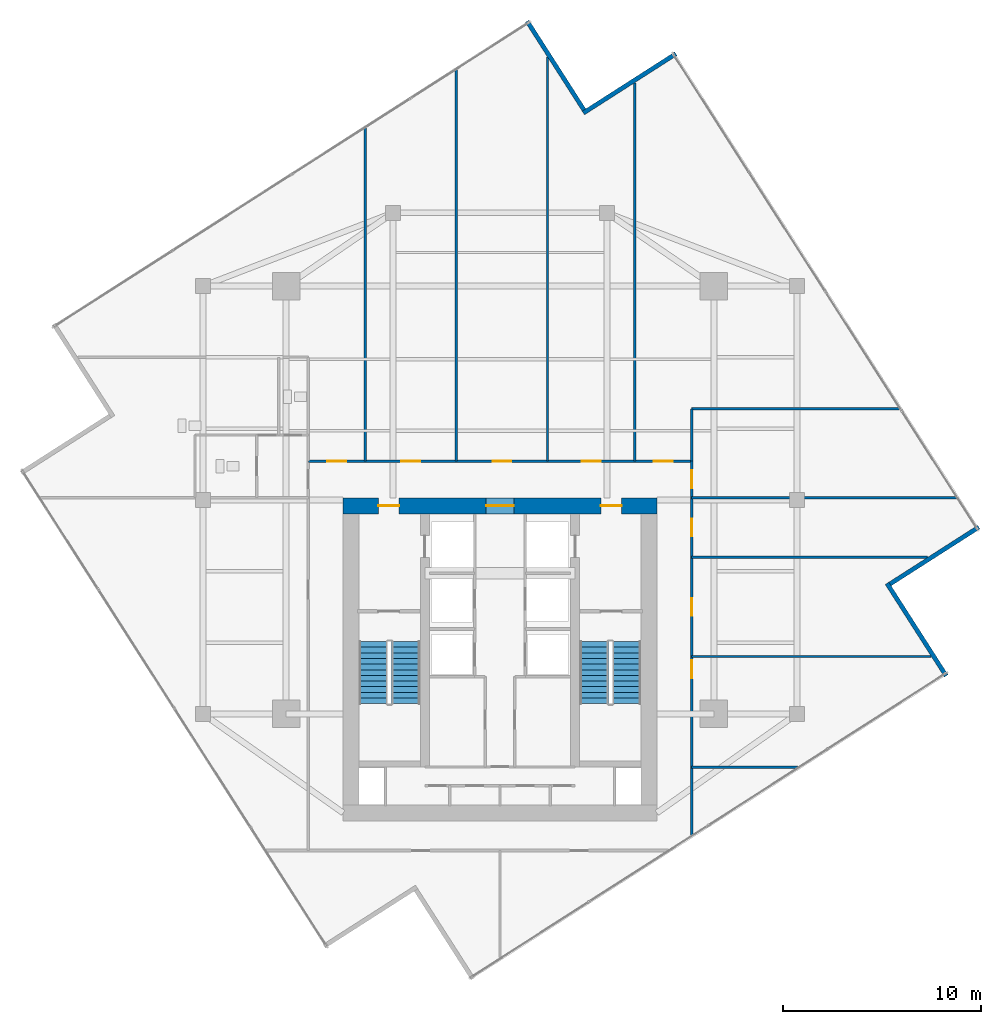
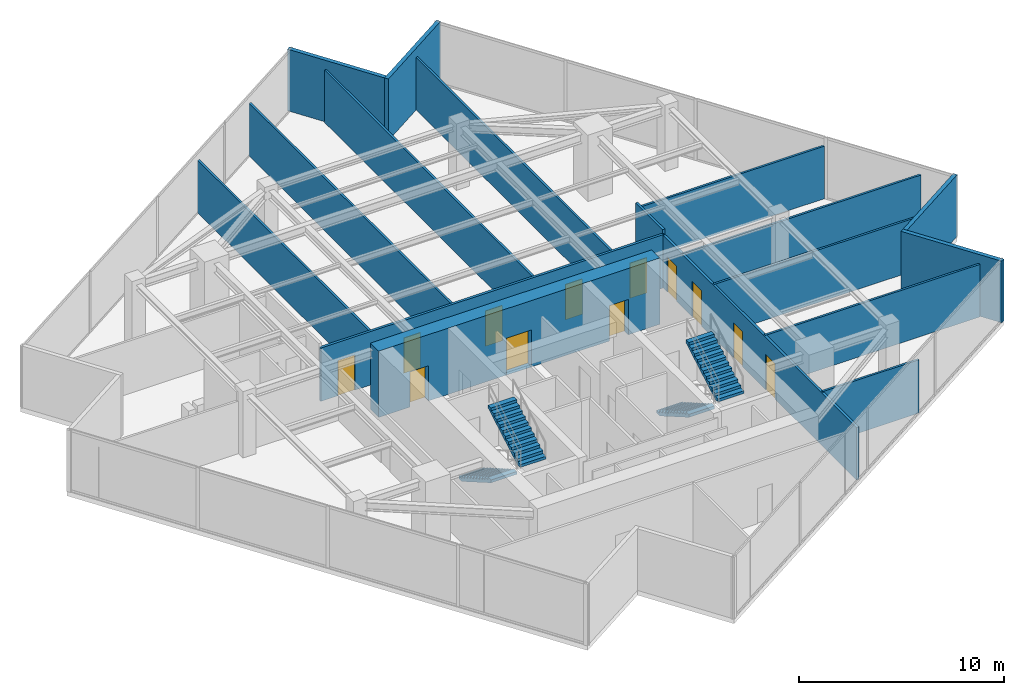
# One storey, part 18 of 20: 17 walls, 12 doors, 4 stair flights, 12 openings, 2 elements without a shape of their own.
"""IFC4 building model written with IfcOpenShell, lengths in metres."""

from ifc_helpers import new_model, si_unit, direction, frame, frame_2d, origin, place, context, subcontext, project, spatial, polyline, rectangle, outline, extrude, material, layer, layer_set, type_object, element, fill, aggregate, save


model = new_model("IFC4")

# Units and contexts
model_context = context("Model", 3, precision=1e-05, world=origin(), true_north=direction((0.0, 1.0)))
body_context = subcontext(model_context, "Body", "Model", "MODEL_VIEW")
ifc_project = project(units=[si_unit("LENGTHUNIT", "METRE"), si_unit("AREAUNIT", "SQUARE_METRE"), si_unit("VOLUMEUNIT", "CUBIC_METRE"), si_unit("PLANEANGLEUNIT", "RADIAN"), si_unit("MASSUNIT", "GRAM", prefix="KILO")], contexts=[model_context])

# Site, building, storey
site_placement = place(None, origin())
site = spatial("IfcSite", under=ifc_project, at=site_placement, CompositionType="ELEMENT")
building_placement = place(site_placement, origin())
building = spatial("IfcBuilding", under=site, at=building_placement, Name="Krantzveldt Concourse Tower", CompositionType="ELEMENT")
storey_placement = place(building_placement, frame((0.0, 0.0, 287.14990234375)))
storey = spatial("IfcBuildingStorey", under=building, at=storey_placement, Name="L70", CompositionType="ELEMENT", Elevation=287.14990234375)

# Walls
ifc_material_1 = material(Name="Anodised aluminium 6063-T6", Category="aluminium")
ifc_layer_1 = layer(ifc_material_1, 0.219970703125, Name="Anodised aluminium 6063-T6", Category="aluminium")
ifc_layer_set_1 = layer_set([ifc_layer_1], Name="Anodised aluminium 6063-T6 (WL-EXT-NOTCH220)")
wall_type_1 = type_object("IfcWallType", Name="WL-EXT-NOTCH220", PredefinedType="ELEMENTEDWALL", material=ifc_layer_set_1)
wall_1_placement = place(storey_placement, frame((40.241455078125, 46.39404296875, 0.0), z_axis=(0.0, 0.0, 1.0), x_axis=(-0.539157771194, 0.842204783744, 0.0)))
element("IfcWall", 1, at=wall_1_placement, inside=storey, type_object=wall_type_1, Name="EW-L70-NCH00", PredefinedType="ELEMENTEDWALL", context=body_context, shape_type="SweptSolid", body=[
    extrude(rectangle(XDim=5.3251953125, YDim=0.219970703125, at=frame_2d((2.66259765625, 0.0))), origin(), (0.0, 0.0, 1.0), 3.670166015625),
])
wall_2_placement = place(storey_placement, frame((58.53173828125, 17.82177734375, 0.0), z_axis=(0.0, 0.0, 1.0), x_axis=(-0.539129907131, 0.842222620948, 0.0)))
element("IfcWall", 2, at=wall_2_placement, inside=storey, type_object=wall_type_1, Name="EW-L70-NCH08", PredefinedType="ELEMENTEDWALL", context=body_context, shape_type="SweptSolid", body=[
    extrude(rectangle(XDim=5.545166015625, YDim=0.219970703125, at=frame_2d((2.7724609375, 0.0))), origin(), (0.0, 0.0, 1.0), 3.670166015625),
])
wall_3_placement = place(storey_placement, frame((55.694091796875, 22.45849609375, 0.0), z_axis=(0.0, 0.0, 1.0), x_axis=(0.842204783744, 0.539157771194, 0.0)))
element("IfcWall", 3, at=wall_3_placement, inside=storey, type_object=wall_type_1, Name="EW-L70-NCH09", PredefinedType="ELEMENTEDWALL", context=body_context, shape_type="SweptSolid", body=[
    extrude(rectangle(XDim=5.3251953125, YDim=0.219970703125, at=frame_2d((2.66259765625, 0.0))), origin(), (0.0, 0.0, 1.0), 3.670166015625),
])
wall_4_placement = place(storey_placement, frame((44.878173828125, 49.231689453125, 0.0), z_axis=(0.0, 0.0, 1.0), x_axis=(-0.842222620948, -0.539129907131, 0.0)))
element("IfcWall", 4, at=wall_4_placement, inside=storey, type_object=wall_type_1, Name="EW-L70-NCH11", PredefinedType="ELEMENTEDWALL", context=body_context, shape_type="SweptSolid", body=[
    extrude(rectangle(XDim=5.545166015625, YDim=0.219970703125, at=frame_2d((2.7724609375, 0.0))), origin(), (0.0, 0.0, 1.0), 3.670166015625),
])
ifc_material_2 = material(Name="Fire-rated gypsum plasterboard on steel stud", Category="steel")
ifc_layer_2 = layer(ifc_material_2, 0.1201171875, Name="Fire-rated gypsum plasterboard on steel stud", Category="steel")
ifc_layer_set_2 = layer_set([ifc_layer_2], Name="Fire-rated gypsum plasterboard on steel stud (WL-PART-120)")
wall_type_2 = type_object("IfcWallType", Name="WL-PART-120", PredefinedType="PARTITIONING", material=ifc_layer_set_2)
wall_5_placement = place(storey_placement, frame((45.679931640625, 26.820068359375, 0.0), z_axis=(0.0, 0.0, 1.0), x_axis=(1.0, 0.0, 0.0)))
element("IfcWall", 5, at=wall_5_placement, inside=storey, type_object=wall_type_2, Name="WP-L70-PNTS", PredefinedType="PARTITIONING", context=body_context, shape_type="SweptSolid", body=[
    extrude(rectangle(XDim=13.408203125, YDim=0.1201171875, at=frame_2d((6.7041015625, 0.0))), origin(), (0.0, 0.0, 1.0), 3.130126953125),
])
wall_6_placement = place(storey_placement, frame((45.679931640625, 31.300048828125, 0.0), z_axis=(0.0, 0.0, 1.0), x_axis=(1.0, 0.0, 0.0)))
element("IfcWall", 6, at=wall_6_placement, inside=storey, type_object=wall_type_2, Name="WP-L70-PNTN", PredefinedType="PARTITIONING", context=body_context, shape_type="SweptSolid", body=[
    extrude(rectangle(XDim=10.54052734375, YDim=0.1201171875, at=frame_2d((5.270263671875, 0.0))), origin(), (0.0, 0.0, 1.0), 3.130126953125),
])
wall_7_placement = place(storey_placement, frame((29.199951171875, 28.659912109375, 0.0), z_axis=(0.0, 0.0, 1.0), x_axis=(0.0, 1.0, 0.0)))
element("IfcWall", 7, at=wall_7_placement, inside=storey, type_object=wall_type_2, Name="WP-L70-ND1", PredefinedType="PARTITIONING", context=body_context, shape_type="SweptSolid", body=[
    extrude(rectangle(XDim=16.852294921875, YDim=0.1201171875, at=frame_2d((8.42626953125, 0.0))), origin(), (0.0, 0.0, 1.0), 3.130126953125),
])
wall_8_placement = place(storey_placement, frame((33.800048828125, 28.659912109375, 0.0), z_axis=(0.0, 0.0, 1.0), x_axis=(0.0, 1.0, 0.0)))
element("IfcWall", 8, at=wall_8_placement, inside=storey, type_object=wall_type_2, Name="WP-L70-ND2", PredefinedType="PARTITIONING", context=body_context, shape_type="SweptSolid", body=[
    extrude(rectangle(XDim=19.796875, YDim=0.1201171875, at=frame_2d((9.8984375, 0.0))), origin(), (0.0, 0.0, 1.0), 3.130126953125),
])
wall_9_placement = place(storey_placement, frame((38.39990234375, 28.659912109375, 0.0), z_axis=(0.0, 0.0, 1.0), x_axis=(0.0, 1.0, 0.0)))
element("IfcWall", 9, at=wall_9_placement, inside=storey, type_object=wall_type_2, Name="WP-L70-ND3", PredefinedType="PARTITIONING", context=body_context, shape_type="SweptSolid", body=[
    extrude(rectangle(XDim=20.3974609375, YDim=0.1201171875, at=frame_2d((10.19873046875, 0.0))), origin(), (0.0, 0.0, 1.0), 3.130126953125),
])
wall_10_placement = place(storey_placement, frame((42.800048828125, 28.659912109375, 0.0), z_axis=(0.0, 0.0, 1.0), x_axis=(0.0, 1.0, 0.0)))
element("IfcWall", 10, at=wall_10_placement, inside=storey, type_object=wall_type_2, Name="WP-L70-ND4", PredefinedType="PARTITIONING", context=body_context, shape_type="SweptSolid", body=[
    extrude(rectangle(XDim=19.10498046875, YDim=0.1201171875, at=frame_2d((9.552490234375, 0.0))), origin(), (0.0, 0.0, 1.0), 3.130126953125),
])
wall_11_placement = place(storey_placement, frame((45.679931640625, 13.199951171875, 0.0), z_axis=(0.0, 0.0, 1.0), x_axis=(1.0, 0.0, 0.0)))
element("IfcWall", 11, at=wall_11_placement, inside=storey, type_object=wall_type_2, Name="WP-L70-ED1", PredefinedType="PARTITIONING", context=body_context, shape_type="SweptSolid", body=[
    extrude(rectangle(XDim=5.41845703125, YDim=0.1201171875, at=frame_2d((2.709228515625, 0.0))), origin(), (0.0, 0.0, 1.0), 3.18017578125),
])
wall_12_placement = place(storey_placement, frame((45.679931640625, 18.800048828125, 0.0), z_axis=(0.0, 0.0, 1.0), x_axis=(1.0, 0.0, 0.0)))
element("IfcWall", 12, at=wall_12_placement, inside=storey, type_object=wall_type_2, Name="WP-L70-ED2", PredefinedType="PARTITIONING", context=body_context, shape_type="SweptSolid", body=[
    extrude(rectangle(XDim=12.089111328125, YDim=0.1201171875, at=frame_2d((6.04443359375, 0.0))), origin(), (0.0, 0.0, 1.0), 3.130126953125),
])
wall_13_placement = place(storey_placement, frame((45.679931640625, 23.800048828125, 0.0), z_axis=(0.0, 0.0, 1.0), x_axis=(1.0, 0.0, 0.0)))
element("IfcWall", 13, at=wall_13_placement, inside=storey, type_object=wall_type_2, Name="WP-L70-ED3", PredefinedType="PARTITIONING", context=body_context, shape_type="SweptSolid", body=[
    extrude(rectangle(XDim=11.896240234375, YDim=0.1201171875, at=frame_2d((5.9482421875, 0.0))), origin(), (0.0, 0.0, 1.0), 3.130126953125),
])

# Wall, openings, doors
ifc_layer_3 = layer(ifc_material_2, 0.139892578125, Name="Fire-rated gypsum plasterboard on steel stud", Category="steel")
ifc_layer_set_3 = layer_set([ifc_layer_3], Name="Fire-rated gypsum plasterboard on steel stud (WL-PART-140)")
wall_type_3 = type_object("IfcWallType", Name="WL-PART-140", PredefinedType="PARTITIONING", material=ifc_layer_set_3)
wall_14_placement = place(storey_placement, frame((26.320068359375, 28.659912109375, 0.0), z_axis=(0.0, 0.0, 1.0), x_axis=(1.0, 0.0, 0.0)))
wall_14 = element("IfcWall", 14, at=wall_14_placement, inside=storey, type_object=wall_type_3, Name="WP-L70-CNHDR", PredefinedType="PARTITIONING", context=body_context, shape_type="SweptSolid", body=[
    extrude(rectangle(XDim=19.35986328125, YDim=0.139892578125, at=frame_2d((9.679931640625, 0.0))), origin(), (0.0, 0.0, 1.0), 3.18017578125),
])
opening_1_placement = place(wall_14_placement, frame((0.965087890625, 0.0, 0.0)))
opening_1 = element("IfcOpeningElement", 15, at=opening_1_placement, cuts=wall_14, Name="Opening D-IN095", PredefinedType="OPENING", context=body_context, shape_type="SweptSolid", body=[
    extrude(rectangle(XDim=0.949951171875, YDim=2.10009765625, at=frame_2d((0.47509765625, 1.050048828125))), frame((0.0, 0.080078125, 0.0), z_axis=(0.0, -1.0, 0.0), x_axis=(1.0, 0.0, 0.0)), (0.0, 0.0, 1.0), 0.159912109375),
])
opening_2_placement = place(wall_14_placement, frame((4.705078125, 0.0, 0.0)))
opening_2 = element("IfcOpeningElement", 16, at=opening_2_placement, cuts=wall_14, Name="Opening D-IN095", PredefinedType="OPENING", context=body_context, shape_type="SweptSolid", body=[
    extrude(rectangle(XDim=0.949951171875, YDim=2.10009765625, at=frame_2d((0.47509765625, 1.050048828125))), frame((0.0, 0.080078125, 0.0), z_axis=(0.0, -1.0, 0.0), x_axis=(1.0, 0.0, 0.0)), (0.0, 0.0, 1.0), 0.159912109375),
])
opening_3_placement = place(wall_14_placement, frame((9.304931640625, 0.0, 0.0)))
opening_3 = element("IfcOpeningElement", 17, at=opening_3_placement, cuts=wall_14, Name="Opening D-IN095", PredefinedType="OPENING", context=body_context, shape_type="SweptSolid", body=[
    extrude(rectangle(XDim=0.949951171875, YDim=2.10009765625, at=frame_2d((0.47509765625, 1.050048828125))), frame((0.0, 0.080078125, 0.0), z_axis=(0.0, -1.0, 0.0), x_axis=(1.0, 0.0, 0.0)), (0.0, 0.0, 1.0), 0.159912109375),
])
opening_4_placement = place(wall_14_placement, frame((13.804931640625, 0.0, 0.0)))
opening_4 = element("IfcOpeningElement", 18, at=opening_4_placement, cuts=wall_14, Name="Opening D-IN095", PredefinedType="OPENING", context=body_context, shape_type="SweptSolid", body=[
    extrude(rectangle(XDim=0.949951171875, YDim=2.10009765625, at=frame_2d((0.47509765625, 1.050048828125))), frame((0.0, 0.080078125, 0.0), z_axis=(0.0, -1.0, 0.0), x_axis=(1.0, 0.0, 0.0)), (0.0, 0.0, 1.0), 0.159912109375),
])
opening_5_placement = place(wall_14_placement, frame((17.445068359375, 0.0, 0.0)))
opening_5 = element("IfcOpeningElement", 19, at=opening_5_placement, cuts=wall_14, Name="Opening D-IN095", PredefinedType="OPENING", context=body_context, shape_type="SweptSolid", body=[
    extrude(rectangle(XDim=0.949951171875, YDim=2.10009765625, at=frame_2d((0.47509765625, 1.050048828125))), frame((0.0, 0.080078125, 0.0), z_axis=(0.0, -1.0, 0.0), x_axis=(1.0, 0.0, 0.0)), (0.0, 0.0, 1.0), 0.159912109375),
])
ifc_material_3 = material(Name="Hardwood timber", Category="wood")
door_type_1 = type_object("IfcDoorType", Name="DR-INT-950", OperationType="SINGLE_SWING_LEFT", PredefinedType="DOOR", material=ifc_material_3)
door_1_placement = place(opening_1_placement, origin())
door_1 = element("IfcDoor", 20, at=door_1_placement, inside=storey, type_object=door_type_1, Name="DR-L70-NR1", OperationType="SINGLE_SWING_LEFT", OverallHeight=2.10009765625, OverallWidth=0.949951171875, PredefinedType="DOOR", context=body_context, shape_type="SweptSolid", body=[
    extrude(rectangle(XDim=0.949951171875, YDim=2.10009765625, at=frame_2d((0.47509765625, 1.050048828125))), frame((0.0, 0.02490234375, 0.0), z_axis=(0.0, -1.0, 0.0), x_axis=(1.0, 0.0, 0.0)), (0.0, 0.0, 1.0), 0.050048828125),
])
fill(opening_1, door_1)
door_2_placement = place(opening_2_placement, origin())
door_2 = element("IfcDoor", 21, at=door_2_placement, inside=storey, type_object=door_type_1, Name="DR-L70-NR2", OperationType="SINGLE_SWING_LEFT", OverallHeight=2.10009765625, OverallWidth=0.949951171875, PredefinedType="DOOR", context=body_context, shape_type="SweptSolid", body=[
    extrude(rectangle(XDim=0.949951171875, YDim=2.10009765625, at=frame_2d((0.47509765625, 1.050048828125))), frame((0.0, 0.02490234375, 0.0), z_axis=(0.0, -1.0, 0.0), x_axis=(1.0, 0.0, 0.0)), (0.0, 0.0, 1.0), 0.050048828125),
])
fill(opening_2, door_2)
door_3_placement = place(opening_3_placement, origin())
door_3 = element("IfcDoor", 22, at=door_3_placement, inside=storey, type_object=door_type_1, Name="DR-L70-NR3", OperationType="SINGLE_SWING_LEFT", OverallHeight=2.10009765625, OverallWidth=0.949951171875, PredefinedType="DOOR", context=body_context, shape_type="SweptSolid", body=[
    extrude(rectangle(XDim=0.949951171875, YDim=2.10009765625, at=frame_2d((0.47509765625, 1.050048828125))), frame((0.0, 0.02490234375, 0.0), z_axis=(0.0, -1.0, 0.0), x_axis=(1.0, 0.0, 0.0)), (0.0, 0.0, 1.0), 0.050048828125),
])
fill(opening_3, door_3)
door_4_placement = place(opening_4_placement, origin())
door_4 = element("IfcDoor", 23, at=door_4_placement, inside=storey, type_object=door_type_1, Name="DR-L70-NR4", OperationType="SINGLE_SWING_LEFT", OverallHeight=2.10009765625, OverallWidth=0.949951171875, PredefinedType="DOOR", context=body_context, shape_type="SweptSolid", body=[
    extrude(rectangle(XDim=0.949951171875, YDim=2.10009765625, at=frame_2d((0.47509765625, 1.050048828125))), frame((0.0, 0.02490234375, 0.0), z_axis=(0.0, -1.0, 0.0), x_axis=(1.0, 0.0, 0.0)), (0.0, 0.0, 1.0), 0.050048828125),
])
fill(opening_4, door_4)
door_5_placement = place(opening_5_placement, origin())
door_5 = element("IfcDoor", 24, at=door_5_placement, inside=storey, type_object=door_type_1, Name="DR-L70-NR5", OperationType="SINGLE_SWING_LEFT", OverallHeight=2.10009765625, OverallWidth=0.949951171875, PredefinedType="DOOR", context=body_context, shape_type="SweptSolid", body=[
    extrude(rectangle(XDim=0.949951171875, YDim=2.10009765625, at=frame_2d((0.47509765625, 1.050048828125))), frame((0.0, 0.02490234375, 0.0), z_axis=(0.0, -1.0, 0.0), x_axis=(1.0, 0.0, 0.0)), (0.0, 0.0, 1.0), 0.050048828125),
])
fill(opening_5, door_5)

wall_15_placement = place(storey_placement, frame((45.679931640625, 9.7314453125, 0.0), z_axis=(0.0, 0.0, 1.0), x_axis=(0.0, 1.0, 0.0)))
wall_15 = element("IfcWall", 25, at=wall_15_placement, inside=storey, type_object=wall_type_3, Name="WP-L70-CEAST", PredefinedType="PARTITIONING", context=body_context, shape_type="SweptSolid", body=[
    extrude(rectangle(XDim=18.928466796875, YDim=0.139892578125, at=frame_2d((9.46435546875, 0.0))), origin(), (0.0, 0.0, 1.0), 3.130126953125),
])
opening_6_placement = place(wall_15_placement, frame((17.568603515625, 0.0, 0.0)))
opening_6 = element("IfcOpeningElement", 26, at=opening_6_placement, cuts=wall_15, Name="Opening D-IN090", PredefinedType="OPENING", context=body_context, shape_type="SweptSolid", body=[
    extrude(rectangle(XDim=0.89990234375, YDim=2.10009765625, at=frame_2d((0.449951171875, 1.050048828125))), frame((0.0, 0.080078125, 0.0), z_axis=(0.0, -1.0, 0.0), x_axis=(1.0, 0.0, 0.0)), (0.0, 0.0, 1.0), 0.159912109375),
])
opening_7_placement = place(wall_15_placement, frame((7.968505859375, 0.0, 0.0)))
opening_7 = element("IfcOpeningElement", 27, at=opening_7_placement, cuts=wall_15, Name="Opening D-IN090", PredefinedType="OPENING", context=body_context, shape_type="SweptSolid", body=[
    extrude(rectangle(XDim=0.89990234375, YDim=2.10009765625, at=frame_2d((0.449951171875, 1.050048828125))), frame((0.0, 0.080078125, 0.0), z_axis=(0.0, -1.0, 0.0), x_axis=(1.0, 0.0, 0.0)), (0.0, 0.0, 1.0), 0.159912109375),
])
opening_8_placement = place(wall_15_placement, frame((11.118408203125, 0.0, 0.0)))
opening_8 = element("IfcOpeningElement", 28, at=opening_8_placement, cuts=wall_15, Name="Opening D-IN090", PredefinedType="OPENING", context=body_context, shape_type="SweptSolid", body=[
    extrude(rectangle(XDim=0.89990234375, YDim=2.10009765625, at=frame_2d((0.449951171875, 1.050048828125))), frame((0.0, 0.080078125, 0.0), z_axis=(0.0, -1.0, 0.0), x_axis=(1.0, 0.0, 0.0)), (0.0, 0.0, 1.0), 0.159912109375),
])
opening_9_placement = place(wall_15_placement, frame((15.12841796875, 0.0, 0.0)))
opening_9 = element("IfcOpeningElement", 29, at=opening_9_placement, cuts=wall_15, Name="Opening D-IN090", PredefinedType="OPENING", context=body_context, shape_type="SweptSolid", body=[
    extrude(rectangle(XDim=0.89990234375, YDim=2.10009765625, at=frame_2d((0.449951171875, 1.050048828125))), frame((0.0, 0.080078125, 0.0), z_axis=(0.0, -1.0, 0.0), x_axis=(1.0, 0.0, 0.0)), (0.0, 0.0, 1.0), 0.159912109375),
])
door_type_2 = type_object("IfcDoorType", Name="DR-INT-900", OperationType="SINGLE_SWING_LEFT", PredefinedType="DOOR", material=ifc_material_3)
door_6_placement = place(opening_6_placement, origin())
door_6 = element("IfcDoor", 30, at=door_6_placement, inside=storey, type_object=door_type_2, Name="DR-L70-PNT", OperationType="SINGLE_SWING_RIGHT", OverallHeight=2.10009765625, OverallWidth=0.89990234375, PredefinedType="DOOR", context=body_context, shape_type="SweptSolid", body=[
    extrude(rectangle(XDim=0.89990234375, YDim=2.10009765625, at=frame_2d((0.449951171875, 1.050048828125))), frame((0.0, 0.02490234375, 0.0), z_axis=(0.0, -1.0, 0.0), x_axis=(1.0, 0.0, 0.0)), (0.0, 0.0, 1.0), 0.050048828125),
])
fill(opening_6, door_6)
door_7_placement = place(opening_7_placement, origin())
door_7 = element("IfcDoor", 31, at=door_7_placement, inside=storey, type_object=door_type_2, Name="DR-L70-ER2", OperationType="SINGLE_SWING_LEFT", OverallHeight=2.10009765625, OverallWidth=0.89990234375, PredefinedType="DOOR", context=body_context, shape_type="SweptSolid", body=[
    extrude(rectangle(XDim=0.89990234375, YDim=2.10009765625, at=frame_2d((0.449951171875, 1.050048828125))), frame((0.0, 0.02490234375, 0.0), z_axis=(0.0, -1.0, 0.0), x_axis=(1.0, 0.0, 0.0)), (0.0, 0.0, 1.0), 0.050048828125),
])
fill(opening_7, door_7)
door_8_placement = place(opening_8_placement, origin())
door_8 = element("IfcDoor", 32, at=door_8_placement, inside=storey, type_object=door_type_2, Name="DR-L70-ER3", OperationType="SINGLE_SWING_LEFT", OverallHeight=2.10009765625, OverallWidth=0.89990234375, PredefinedType="DOOR", context=body_context, shape_type="SweptSolid", body=[
    extrude(rectangle(XDim=0.89990234375, YDim=2.10009765625, at=frame_2d((0.449951171875, 1.050048828125))), frame((0.0, 0.02490234375, 0.0), z_axis=(0.0, -1.0, 0.0), x_axis=(1.0, 0.0, 0.0)), (0.0, 0.0, 1.0), 0.050048828125),
])
fill(opening_8, door_8)
door_9_placement = place(opening_9_placement, origin())
door_9 = element("IfcDoor", 33, at=door_9_placement, inside=storey, type_object=door_type_2, Name="DR-L70-ER4", OperationType="SINGLE_SWING_LEFT", OverallHeight=2.10009765625, OverallWidth=0.89990234375, PredefinedType="DOOR", context=body_context, shape_type="SweptSolid", body=[
    extrude(rectangle(XDim=0.89990234375, YDim=2.10009765625, at=frame_2d((0.449951171875, 1.050048828125))), frame((0.0, 0.02490234375, 0.0), z_axis=(0.0, -1.0, 0.0), x_axis=(1.0, 0.0, 0.0)), (0.0, 0.0, 1.0), 0.050048828125),
])
fill(opening_9, door_9)

# Wall
wall_16_placement = place(storey_placement, frame((45.679931640625, 28.659912109375, 0.0), z_axis=(0.0, 0.0, 1.0), x_axis=(0.0, 1.0, 0.0)))
element("IfcWall", 34, at=wall_16_placement, inside=storey, type_object=wall_type_3, Name="WP-L70-NER", PredefinedType="PARTITIONING", context=body_context, shape_type="SweptSolid", body=[
    extrude(rectangle(XDim=2.64013671875, YDim=0.139892578125, at=frame_2d((1.320068359375, 0.0))), origin(), (0.0, 0.0, 1.0), 3.43017578125),
])

# Wall, openings, doors
ifc_material_4 = material(Name="Concrete C60/75", Category="concrete")
ifc_layer_4 = layer(ifc_material_4, 0.800048828125, Name="Concrete C60/75", Category="concrete")
ifc_layer_set_4 = layer_set([ifc_layer_4], Name="Concrete C60/75 (WL-SHEAR-800)")
wall_type_4 = type_object("IfcWallType", Name="WL-SHEAR-800", PredefinedType="SHEAR", material=ifc_layer_set_4)
wall_17_placement = place(storey_placement, frame((28.080078125, 26.39990234375, 0.0), z_axis=(0.0, 0.0, 1.0), x_axis=(1.0, 0.0, 0.0)))
wall_17 = element("IfcWall", 35, at=wall_17_placement, inside=storey, type_object=wall_type_4, Name="CW-L70-N", PredefinedType="SHEAR", context=body_context, shape_type="SweptSolid", body=[
    extrude(rectangle(XDim=15.83984375, YDim=0.800048828125, at=frame_2d((7.919921875, 0.0))), origin(), (0.0, 0.0, 1.0), 3.9501953125),
])
opening_10_placement = place(wall_17_placement, frame((7.219970703125, 0.0, 0.0)))
opening_10 = element("IfcOpeningElement", 36, at=opening_10_placement, cuts=wall_17, Name="Opening D-DB140", PredefinedType="OPENING", context=body_context, shape_type="SweptSolid", body=[
    extrude(rectangle(XDim=1.39990234375, YDim=2.199951171875, at=frame_2d((0.699951171875, 1.10009765625))), frame((0.0, 0.41015625, 0.0), z_axis=(0.0, -1.0, 0.0), x_axis=(1.0, 0.0, 0.0)), (0.0, 0.0, 1.0), 0.820068359375),
])
opening_11_placement = place(wall_17_placement, frame((1.77490234375, 0.0, 0.0)))
opening_11 = element("IfcOpeningElement", 37, at=opening_11_placement, cuts=wall_17, Name="Opening D-FD105", PredefinedType="OPENING", context=body_context, shape_type="SweptSolid", body=[
    extrude(rectangle(XDim=1.050048828125, YDim=2.10009765625, at=frame_2d((0.52490234375, 1.050048828125))), frame((0.0, 0.41015625, 0.0), z_axis=(0.0, -1.0, 0.0), x_axis=(1.0, 0.0, 0.0)), (0.0, 0.0, 1.0), 0.820068359375),
])
opening_12_placement = place(wall_17_placement, frame((13.014892578125, 0.0, 0.0)))
opening_12 = element("IfcOpeningElement", 38, at=opening_12_placement, cuts=wall_17, Name="Opening D-FD105", PredefinedType="OPENING", context=body_context, shape_type="SweptSolid", body=[
    extrude(rectangle(XDim=1.050048828125, YDim=2.10009765625, at=frame_2d((0.52490234375, 1.050048828125))), frame((0.0, 0.41015625, 0.0), z_axis=(0.0, -1.0, 0.0), x_axis=(1.0, 0.0, 0.0)), (0.0, 0.0, 1.0), 0.820068359375),
])
door_type_3 = type_object("IfcDoorType", Name="DR-DBL-1400", OperationType="DOUBLE_DOOR_SINGLE_SWING", PredefinedType="DOOR", material=ifc_material_1)
door_10_placement = place(opening_10_placement, origin())
door_10 = element("IfcDoor", 39, at=door_10_placement, inside=storey, type_object=door_type_3, Name="DR-L70-LLB", OperationType="DOUBLE_DOOR_SINGLE_SWING", OverallHeight=2.199951171875, OverallWidth=1.39990234375, PredefinedType="DOOR", context=body_context, shape_type="SweptSolid", body=[
    extrude(rectangle(XDim=1.39990234375, YDim=2.199951171875, at=frame_2d((0.699951171875, 1.10009765625))), frame((0.0, 0.02490234375, 0.0), z_axis=(0.0, -1.0, 0.0), x_axis=(1.0, 0.0, 0.0)), (0.0, 0.0, 1.0), 0.050048828125),
])
fill(opening_10, door_10)
ifc_material_5 = material(Name="Galvanised steel", Category="steel")
door_type_4 = type_object("IfcDoorType", Name="DR-FD120-1050", OperationType="SINGLE_SWING_LEFT", PredefinedType="DOOR", material=ifc_material_5)
door_11_placement = place(opening_11_placement, origin())
door_11 = element("IfcDoor", 40, at=door_11_placement, inside=storey, type_object=door_type_4, Name="DR-L70-FFL1", OperationType="SINGLE_SWING_LEFT", OverallHeight=2.10009765625, OverallWidth=1.050048828125, PredefinedType="DOOR", context=body_context, shape_type="SweptSolid", body=[
    extrude(rectangle(XDim=1.050048828125, YDim=2.10009765625, at=frame_2d((0.52490234375, 1.050048828125))), frame((0.0, 0.02490234375, 0.0), z_axis=(0.0, -1.0, 0.0), x_axis=(1.0, 0.0, 0.0)), (0.0, 0.0, 1.0), 0.050048828125),
])
fill(opening_11, door_11)
door_12_placement = place(opening_12_placement, origin())
door_12 = element("IfcDoor", 41, at=door_12_placement, inside=storey, type_object=door_type_4, Name="DR-L70-FFL2", OperationType="SINGLE_SWING_RIGHT", OverallHeight=2.10009765625, OverallWidth=1.050048828125, PredefinedType="DOOR", context=body_context, shape_type="SweptSolid", body=[
    extrude(rectangle(XDim=1.050048828125, YDim=2.10009765625, at=frame_2d((0.52490234375, 1.050048828125))), frame((0.0, 0.02490234375, 0.0), z_axis=(0.0, -1.0, 0.0), x_axis=(1.0, 0.0, 0.0)), (0.0, 0.0, 1.0), 0.050048828125),
])
fill(opening_12, door_12)

# Stair, stair flights
ifc_material_6 = material(Name="Precast concrete C40/50", Category="concrete")
stair_type = type_object("IfcStairType", Name="STR-CORE-DOGLEG", PredefinedType="HALF_TURN_STAIR", material=ifc_material_6)
stair_1_placement = place(storey_placement, origin())
stair_1 = element("IfcStair", 42, at=stair_1_placement, inside=storey, type_object=stair_type, Name="L70 Protected Escape Stair ST-1", PredefinedType="HALF_TURN_STAIR")
stair_flight_type = type_object("IfcStairFlightType", Name="STF-CORE-1450", PredefinedType="STRAIGHT", material=ifc_material_6)
stair_flight_1_placement = place(storey_placement, frame((29.60498046875, 19.550048828125, 0.0), z_axis=(0.0, 0.0, 1.0), x_axis=(0.0, -1.0, 0.0)))
stair_flight_1 = element("IfcStairFlight", 43, at=stair_flight_1_placement, type_object=stair_flight_type, Name="ST-1 flight 1", NumberOfRisers=12, NumberOfTreads=11, PredefinedType="STRAIGHT", RiserHeight=0.164583333, TreadLength=0.285, context=body_context, shape_type="SweptSolid", body=[
    extrude(outline(polyline([(0.0, 0.0), (0.0, 0.16455078125), (0.284912109375, 0.16455078125), (0.284912109375, 0.3291015625), (0.570068359375, 0.3291015625), (0.570068359375, 0.49365234375), (0.85498046875, 0.49365234375), (0.85498046875, 0.658447265625), (1.139892578125, 0.658447265625), (1.139892578125, 0.822998046875), (1.425048828125, 0.822998046875), (1.425048828125, 0.987548828125), (1.7099609375, 0.987548828125), (1.7099609375, 1.152099609375), (1.9951171875, 1.152099609375), (1.9951171875, 1.316650390625), (2.280029296875, 1.316650390625), (2.280029296875, 1.481201171875), (2.56494140625, 1.481201171875), (2.56494140625, 1.645751953125), (2.85009765625, 1.645751953125), (2.85009765625, 1.810302734375), (3.135009765625, 1.810302734375), (3.135009765625, 1.97509765625), (3.135009765625, 1.63720703125), (0.2998046875, 0.0), (0.0, 0.0)])), frame((0.0, 0.72509765625, 0.0), z_axis=(0.0, -1.0, 0.0), x_axis=(1.0, 0.0, 0.0)), (0.0, 0.0, 1.0), 1.449951171875),
])
stair_flight_2_placement = place(storey_placement, frame((31.2548828125, 16.4150390625, 1.97509765625), z_axis=(0.0, 0.0, 1.0), x_axis=(0.0, 1.0, 0.0)))
stair_flight_2 = element("IfcStairFlight", 44, at=stair_flight_2_placement, type_object=stair_flight_type, Name="ST-1 flight 2", NumberOfRisers=12, NumberOfTreads=11, PredefinedType="STRAIGHT", RiserHeight=0.164583333, TreadLength=0.285, context=body_context, shape_type="SweptSolid", body=[
    extrude(outline(polyline([(0.0, 0.0), (0.0, 0.16455078125), (0.284912109375, 0.16455078125), (0.284912109375, 0.3291015625), (0.570068359375, 0.3291015625), (0.570068359375, 0.49365234375), (0.85498046875, 0.49365234375), (0.85498046875, 0.658447265625), (1.139892578125, 0.658447265625), (1.139892578125, 0.822998046875), (1.425048828125, 0.822998046875), (1.425048828125, 0.987548828125), (1.7099609375, 0.987548828125), (1.7099609375, 1.152099609375), (1.9951171875, 1.152099609375), (1.9951171875, 1.316650390625), (2.280029296875, 1.316650390625), (2.280029296875, 1.481201171875), (2.56494140625, 1.481201171875), (2.56494140625, 1.645751953125), (2.85009765625, 1.645751953125), (2.85009765625, 1.810302734375), (3.135009765625, 1.810302734375), (3.135009765625, 1.97509765625), (3.135009765625, 1.63720703125), (0.2998046875, 0.0), (0.0, 0.0)])), frame((0.0, 0.72509765625, 0.0), z_axis=(0.0, -1.0, 0.0), x_axis=(1.0, 0.0, 0.0)), (0.0, 0.0, 1.0), 1.449951171875),
])
aggregate(stair_1, [stair_flight_1, stair_flight_2])

stair_2_placement = place(storey_placement, origin())
stair_2 = element("IfcStair", 45, at=stair_2_placement, inside=storey, type_object=stair_type, Name="L70 Protected Escape Stair ST-2", PredefinedType="HALF_TURN_STAIR")
stair_flight_3_placement = place(storey_placement, frame((40.7451171875, 19.550048828125, 0.0), z_axis=(0.0, 0.0, 1.0), x_axis=(0.0, -1.0, 0.0)))
stair_flight_3 = element("IfcStairFlight", 46, at=stair_flight_3_placement, type_object=stair_flight_type, Name="ST-2 flight 1", NumberOfRisers=12, NumberOfTreads=11, PredefinedType="STRAIGHT", RiserHeight=0.164583333, TreadLength=0.285, context=body_context, shape_type="SweptSolid", body=[
    extrude(outline(polyline([(0.0, 0.0), (0.0, 0.16455078125), (0.284912109375, 0.16455078125), (0.284912109375, 0.3291015625), (0.570068359375, 0.3291015625), (0.570068359375, 0.49365234375), (0.85498046875, 0.49365234375), (0.85498046875, 0.658447265625), (1.139892578125, 0.658447265625), (1.139892578125, 0.822998046875), (1.425048828125, 0.822998046875), (1.425048828125, 0.987548828125), (1.7099609375, 0.987548828125), (1.7099609375, 1.152099609375), (1.9951171875, 1.152099609375), (1.9951171875, 1.316650390625), (2.280029296875, 1.316650390625), (2.280029296875, 1.481201171875), (2.56494140625, 1.481201171875), (2.56494140625, 1.645751953125), (2.85009765625, 1.645751953125), (2.85009765625, 1.810302734375), (3.135009765625, 1.810302734375), (3.135009765625, 1.97509765625), (3.135009765625, 1.63720703125), (0.2998046875, 0.0), (0.0, 0.0)])), frame((0.0, 0.72509765625, 0.0), z_axis=(0.0, -1.0, 0.0), x_axis=(1.0, 0.0, 0.0)), (0.0, 0.0, 1.0), 1.449951171875),
])
stair_flight_4_placement = place(storey_placement, frame((42.39501953125, 16.4150390625, 1.97509765625), z_axis=(0.0, 0.0, 1.0), x_axis=(0.0, 1.0, 0.0)))
stair_flight_4 = element("IfcStairFlight", 47, at=stair_flight_4_placement, type_object=stair_flight_type, Name="ST-2 flight 2", NumberOfRisers=12, NumberOfTreads=11, PredefinedType="STRAIGHT", RiserHeight=0.164583333, TreadLength=0.285, context=body_context, shape_type="SweptSolid", body=[
    extrude(outline(polyline([(0.0, 0.0), (0.0, 0.16455078125), (0.284912109375, 0.16455078125), (0.284912109375, 0.3291015625), (0.570068359375, 0.3291015625), (0.570068359375, 0.49365234375), (0.85498046875, 0.49365234375), (0.85498046875, 0.658447265625), (1.139892578125, 0.658447265625), (1.139892578125, 0.822998046875), (1.425048828125, 0.822998046875), (1.425048828125, 0.987548828125), (1.7099609375, 0.987548828125), (1.7099609375, 1.152099609375), (1.9951171875, 1.152099609375), (1.9951171875, 1.316650390625), (2.280029296875, 1.316650390625), (2.280029296875, 1.481201171875), (2.56494140625, 1.481201171875), (2.56494140625, 1.645751953125), (2.85009765625, 1.645751953125), (2.85009765625, 1.810302734375), (3.135009765625, 1.810302734375), (3.135009765625, 1.97509765625), (3.135009765625, 1.63720703125), (0.2998046875, 0.0), (0.0, 0.0)])), frame((0.0, 0.72509765625, 0.0), z_axis=(0.0, -1.0, 0.0), x_axis=(1.0, 0.0, 0.0)), (0.0, 0.0, 1.0), 1.449951171875),
])
aggregate(stair_2, [stair_flight_3, stair_flight_4])

save(model, "model.ifc")
